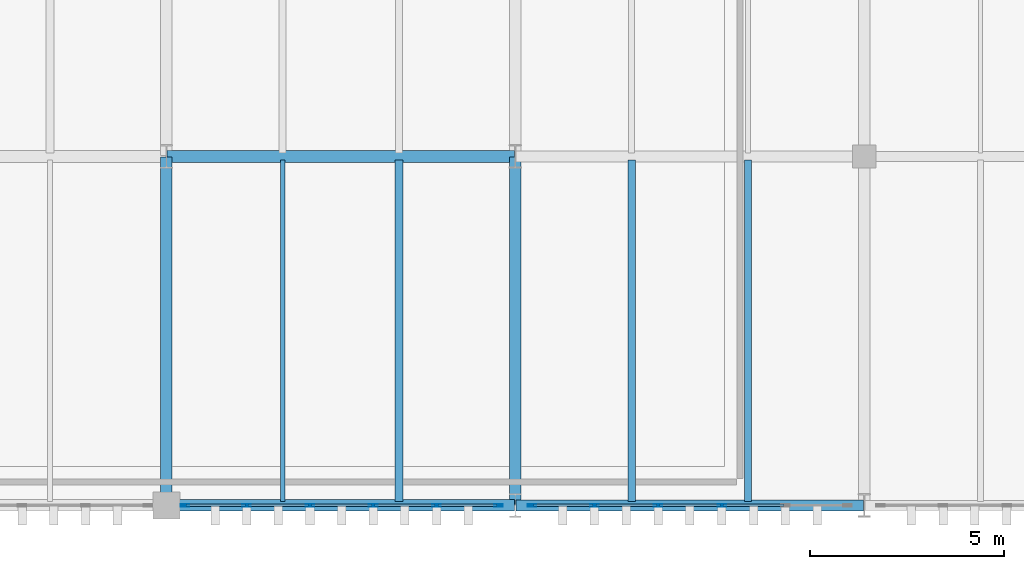
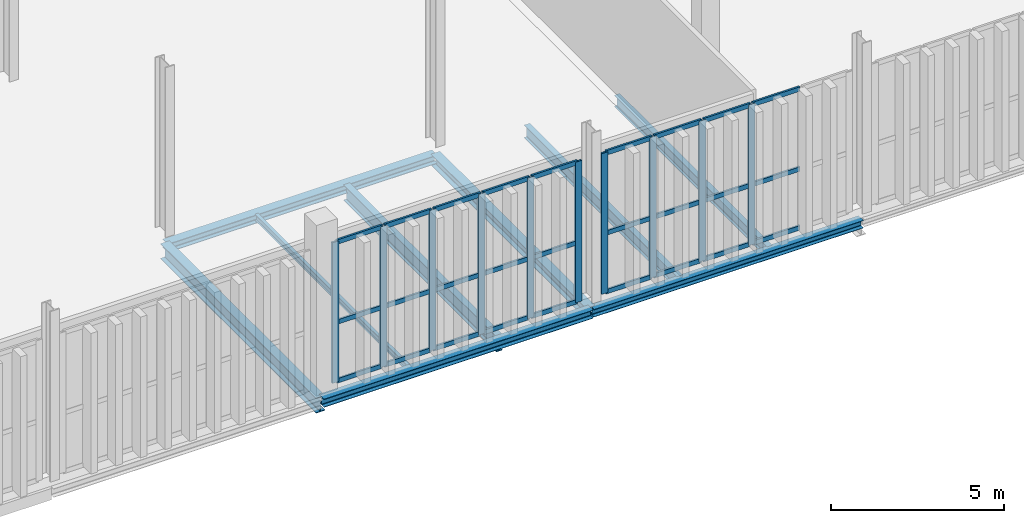
# One storey, part 87 of 211: 37 members, 9 beams, 2 elements without a shape of their own.
"""IFC4 building model written with IfcOpenShell, lengths in metres."""

from ifc_helpers import new_model, si_unit, direction, frame, origin, origin_2d, place, context, subcontext, project, spatial, hollow_rectangle, i_section, extrude, material, layer, layer_set, material_profile, profile_set, type_object, element, aggregate, save


model = new_model("IFC4")

# Units and contexts
model_context = context("Model", 3, precision=1e-05, world=origin(), true_north=direction((0.0, 1.0)))
body_context = subcontext(model_context, "Body", "Model", "MODEL_VIEW")
ifc_project = project(units=[si_unit("LENGTHUNIT", "METRE"), si_unit("AREAUNIT", "SQUARE_METRE"), si_unit("VOLUMEUNIT", "CUBIC_METRE"), si_unit("PLANEANGLEUNIT", "RADIAN"), si_unit("MASSUNIT", "GRAM", prefix="KILO")], contexts=[model_context])

# Site, building, storey
site_placement = place(None, origin())
site = spatial("IfcSite", under=ifc_project, at=site_placement, CompositionType="ELEMENT")
building_placement = place(site_placement, origin())
building = spatial("IfcBuilding", under=site, at=building_placement, Name="Barlavento Convention Centre", CompositionType="ELEMENT")
storey_placement = place(building_placement, frame((0.0, 0.0, 6.0)))
storey = spatial("IfcBuildingStorey", under=building, at=storey_placement, Name="L01", CompositionType="ELEMENT", Elevation=6.0)

# Curtain wall, members
ifc_material_1 = material(Name="Powder-coated aluminium and Low-E glass", Category="aluminium")
ifc_layer = layer(ifc_material_1, 0.18994140625)
ifc_layer_set = layer_set([ifc_layer], Name="ARC-CW-BALL-L01")
curtain_wall_type = type_object("IfcCurtainWallType", Name="ARC-CW-BALL-L01", PredefinedType="NOTDEFINED", material=ifc_layer_set)
curtain_wall_1_placement = place(storey_placement, origin())
curtain_wall_1 = element("IfcCurtainWall", 1, at=curtain_wall_1_placement, inside=storey, type_object=curtain_wall_type, Name="L01 unitised curtain wall CW06", PredefinedType="NOTDEFINED")
ifc_material_2 = material(Name="Powder-coated aluminium", Category="aluminium")
ifc_material_profile_1 = material_profile(ifc_material_2, hollow_rectangle(XDim=0.070068359375, YDim=0.219970703125, WallThickness=0.006103515625, at=origin_2d()), Name="AL-MULL 70x220x6")
ifc_profile_set_1 = profile_set([ifc_material_profile_1], Name="Powder-coated aluminium")
member_type_1 = type_object("IfcMemberType", Name="ARC-CWM-70X220", PredefinedType="MULLION", material=ifc_profile_set_1)
member_1_placement = place(storey_placement, frame((144.47509765625, 0.0, 0.0), z_axis=(0.0, 0.0, 1.0), x_axis=(0.0, 1.0, 0.0)))
member_1 = element("IfcMember", 2, at=member_1_placement, type_object=member_type_1, Name="CW06 mullion 1", PredefinedType="MULLION", context=body_context, shape_type="SweptSolid", body=[
    extrude(hollow_rectangle(XDim=0.070068359375, YDim=0.219970703125, WallThickness=0.006103515625, at=origin_2d()), origin(), (0.0, 0.0, 1.0), 4.949951171875),
])
member_2_placement = place(storey_placement, frame((146.072021484375, 0.0, 0.0), z_axis=(0.0, 0.0, 1.0), x_axis=(0.0, 1.0, 0.0)))
member_2 = element("IfcMember", 3, at=member_2_placement, type_object=member_type_1, Name="CW06 mullion 2", PredefinedType="MULLION", context=body_context, shape_type="SweptSolid", body=[
    extrude(hollow_rectangle(XDim=0.070068359375, YDim=0.219970703125, WallThickness=0.006103515625, at=origin_2d()), origin(), (0.0, 0.0, 1.0), 4.949951171875),
])
member_3_placement = place(storey_placement, frame((147.7041015625, 0.0, 0.0), z_axis=(0.0, 0.0, 1.0), x_axis=(0.0, 1.0, 0.0)))
member_3 = element("IfcMember", 4, at=member_3_placement, type_object=member_type_1, Name="CW06 mullion 3", PredefinedType="MULLION", context=body_context, shape_type="SweptSolid", body=[
    extrude(hollow_rectangle(XDim=0.070068359375, YDim=0.219970703125, WallThickness=0.006103515625, at=origin_2d()), origin(), (0.0, 0.0, 1.0), 4.949951171875),
])
member_4_placement = place(storey_placement, frame((149.3359375, 0.0, 0.0), z_axis=(0.0, 0.0, 1.0), x_axis=(0.0, 1.0, 0.0)))
member_4 = element("IfcMember", 5, at=member_4_placement, type_object=member_type_1, Name="CW06 mullion 4", PredefinedType="MULLION", context=body_context, shape_type="SweptSolid", body=[
    extrude(hollow_rectangle(XDim=0.070068359375, YDim=0.219970703125, WallThickness=0.006103515625, at=origin_2d()), origin(), (0.0, 0.0, 1.0), 4.949951171875),
])
member_5_placement = place(storey_placement, frame((150.968017578125, 0.0, 0.0), z_axis=(0.0, 0.0, 1.0), x_axis=(0.0, 1.0, 0.0)))
member_5 = element("IfcMember", 6, at=member_5_placement, type_object=member_type_1, Name="CW06 mullion 5", PredefinedType="MULLION", context=body_context, shape_type="SweptSolid", body=[
    extrude(hollow_rectangle(XDim=0.070068359375, YDim=0.219970703125, WallThickness=0.006103515625, at=origin_2d()), origin(), (0.0, 0.0, 1.0), 4.949951171875),
])
member_6_placement = place(storey_placement, frame((152.56494140625, 0.0, 0.0), z_axis=(0.0, 0.0, 1.0), x_axis=(0.0, 1.0, 0.0)))
member_6 = element("IfcMember", 7, at=member_6_placement, type_object=member_type_1, Name="CW06 mullion 6", PredefinedType="MULLION", context=body_context, shape_type="SweptSolid", body=[
    extrude(hollow_rectangle(XDim=0.070068359375, YDim=0.219970703125, WallThickness=0.006103515625, at=origin_2d()), origin(), (0.0, 0.0, 1.0), 4.949951171875),
])

curtain_wall_2_placement = place(storey_placement, origin())
curtain_wall_2 = element("IfcCurtainWall", 8, at=curtain_wall_2_placement, inside=storey, type_object=curtain_wall_type, Name="L01 unitised curtain wall CW06", PredefinedType="NOTDEFINED")
member_7_placement = place(storey_placement, frame((153.43505859375, 0.0, 0.0), z_axis=(0.0, 0.0, 1.0), x_axis=(0.0, 1.0, 0.0)))
member_7 = element("IfcMember", 9, at=member_7_placement, type_object=member_type_1, Name="CW06 mullion 1", PredefinedType="MULLION", context=body_context, shape_type="SweptSolid", body=[
    extrude(hollow_rectangle(XDim=0.070068359375, YDim=0.219970703125, WallThickness=0.006103515625, at=origin_2d()), origin(), (0.0, 0.0, 1.0), 4.949951171875),
])
member_8_placement = place(storey_placement, frame((155.0419921875, 0.0, 0.0), z_axis=(0.0, 0.0, 1.0), x_axis=(0.0, 1.0, 0.0)))
member_8 = element("IfcMember", 10, at=member_8_placement, type_object=member_type_1, Name="CW06 mullion 2", PredefinedType="MULLION", context=body_context, shape_type="SweptSolid", body=[
    extrude(hollow_rectangle(XDim=0.070068359375, YDim=0.219970703125, WallThickness=0.006103515625, at=origin_2d()), origin(), (0.0, 0.0, 1.0), 4.949951171875),
])
member_9_placement = place(storey_placement, frame((156.68408203125, 0.0, 0.0), z_axis=(0.0, 0.0, 1.0), x_axis=(0.0, 1.0, 0.0)))
member_9 = element("IfcMember", 11, at=member_9_placement, type_object=member_type_1, Name="CW06 mullion 3", PredefinedType="MULLION", context=body_context, shape_type="SweptSolid", body=[
    extrude(hollow_rectangle(XDim=0.070068359375, YDim=0.219970703125, WallThickness=0.006103515625, at=origin_2d()), origin(), (0.0, 0.0, 1.0), 4.949951171875),
])
member_10_placement = place(storey_placement, frame((158.325927734375, 0.0, 0.0), z_axis=(0.0, 0.0, 1.0), x_axis=(0.0, 1.0, 0.0)))
member_10 = element("IfcMember", 12, at=member_10_placement, type_object=member_type_1, Name="CW06 mullion 4", PredefinedType="MULLION", context=body_context, shape_type="SweptSolid", body=[
    extrude(hollow_rectangle(XDim=0.070068359375, YDim=0.219970703125, WallThickness=0.006103515625, at=origin_2d()), origin(), (0.0, 0.0, 1.0), 4.949951171875),
])

# Member
ifc_material_profile_2 = material_profile(ifc_material_2, hollow_rectangle(XDim=0.06494140625, YDim=0.159912109375, WallThickness=0.0048828125, at=origin_2d()), Name="AL-TRAN 65x160x5")
ifc_profile_set_2 = profile_set([ifc_material_profile_2], Name="Powder-coated aluminium")
member_type_2 = type_object("IfcMemberType", Name="ARC-CWT-65X160", PredefinedType="USERDEFINED", material=ifc_profile_set_2)
member_11_placement = place(storey_placement, frame((144.510009765625, 0.0, 0.032470703125), z_axis=(1.0, 0.0, 0.0), x_axis=(0.0, 1.0, 0.0)))
member_11 = element("IfcMember", 13, at=member_11_placement, type_object=member_type_2, Name="CW06 transom 1.1", ObjectType="TRANSOM", PredefinedType="USERDEFINED", context=body_context, shape_type="SweptSolid", body=[
    extrude(hollow_rectangle(XDim=0.06494140625, YDim=0.159912109375, WallThickness=0.0048828125, at=origin_2d()), origin(), (0.0, 0.0, 1.0), 1.527099609375),
])

member_12_placement = place(storey_placement, frame((144.510009765625, 0.0, 2.10009765625), z_axis=(1.0, 0.0, 0.0), x_axis=(0.0, 1.0, 0.0)))
member_12 = element("IfcMember", 14, at=member_12_placement, type_object=member_type_2, Name="CW06 transom 1.2", ObjectType="TRANSOM", PredefinedType="USERDEFINED", context=body_context, shape_type="SweptSolid", body=[
    extrude(hollow_rectangle(XDim=0.06494140625, YDim=0.159912109375, WallThickness=0.0048828125, at=origin_2d()), origin(), (0.0, 0.0, 1.0), 1.527099609375),
])

member_13_placement = place(storey_placement, frame((144.510009765625, 0.0, 4.91748046875), z_axis=(1.0, 0.0, 0.0), x_axis=(0.0, 1.0, 0.0)))
member_13 = element("IfcMember", 15, at=member_13_placement, type_object=member_type_2, Name="CW06 transom 1.3", ObjectType="TRANSOM", PredefinedType="USERDEFINED", context=body_context, shape_type="SweptSolid", body=[
    extrude(hollow_rectangle(XDim=0.06494140625, YDim=0.159912109375, WallThickness=0.0048828125, at=origin_2d()), origin(), (0.0, 0.0, 1.0), 1.527099609375),
])

member_14_placement = place(storey_placement, frame((146.10693359375, 0.0, 0.032470703125), z_axis=(1.0, 0.0, 0.0), x_axis=(0.0, 1.0, 0.0)))
member_14 = element("IfcMember", 16, at=member_14_placement, type_object=member_type_2, Name="CW06 transom 2.1", ObjectType="TRANSOM", PredefinedType="USERDEFINED", context=body_context, shape_type="SweptSolid", body=[
    extrude(hollow_rectangle(XDim=0.06494140625, YDim=0.159912109375, WallThickness=0.0048828125, at=origin_2d()), origin(), (0.0, 0.0, 1.0), 1.56201171875),
])

member_15_placement = place(storey_placement, frame((146.10693359375, 0.0, 2.10009765625), z_axis=(1.0, 0.0, 0.0), x_axis=(0.0, 1.0, 0.0)))
member_15 = element("IfcMember", 17, at=member_15_placement, type_object=member_type_2, Name="CW06 transom 2.2", ObjectType="TRANSOM", PredefinedType="USERDEFINED", context=body_context, shape_type="SweptSolid", body=[
    extrude(hollow_rectangle(XDim=0.06494140625, YDim=0.159912109375, WallThickness=0.0048828125, at=origin_2d()), origin(), (0.0, 0.0, 1.0), 1.56201171875),
])

member_16_placement = place(storey_placement, frame((146.10693359375, 0.0, 4.91748046875), z_axis=(1.0, 0.0, 0.0), x_axis=(0.0, 1.0, 0.0)))
member_16 = element("IfcMember", 18, at=member_16_placement, type_object=member_type_2, Name="CW06 transom 2.3", ObjectType="TRANSOM", PredefinedType="USERDEFINED", context=body_context, shape_type="SweptSolid", body=[
    extrude(hollow_rectangle(XDim=0.06494140625, YDim=0.159912109375, WallThickness=0.0048828125, at=origin_2d()), origin(), (0.0, 0.0, 1.0), 1.56201171875),
])

member_17_placement = place(storey_placement, frame((147.739013671875, 0.0, 0.032470703125), z_axis=(1.0, 0.0, 0.0), x_axis=(0.0, 1.0, 0.0)))
member_17 = element("IfcMember", 19, at=member_17_placement, type_object=member_type_2, Name="CW06 transom 3.1", ObjectType="TRANSOM", PredefinedType="USERDEFINED", context=body_context, shape_type="SweptSolid", body=[
    extrude(hollow_rectangle(XDim=0.06494140625, YDim=0.159912109375, WallThickness=0.0048828125, at=origin_2d()), origin(), (0.0, 0.0, 1.0), 1.56201171875),
])

member_18_placement = place(storey_placement, frame((147.739013671875, 0.0, 2.10009765625), z_axis=(1.0, 0.0, 0.0), x_axis=(0.0, 1.0, 0.0)))
member_18 = element("IfcMember", 20, at=member_18_placement, type_object=member_type_2, Name="CW06 transom 3.2", ObjectType="TRANSOM", PredefinedType="USERDEFINED", context=body_context, shape_type="SweptSolid", body=[
    extrude(hollow_rectangle(XDim=0.06494140625, YDim=0.159912109375, WallThickness=0.0048828125, at=origin_2d()), origin(), (0.0, 0.0, 1.0), 1.56201171875),
])

member_19_placement = place(storey_placement, frame((147.739013671875, 0.0, 4.91748046875), z_axis=(1.0, 0.0, 0.0), x_axis=(0.0, 1.0, 0.0)))
member_19 = element("IfcMember", 21, at=member_19_placement, type_object=member_type_2, Name="CW06 transom 3.3", ObjectType="TRANSOM", PredefinedType="USERDEFINED", context=body_context, shape_type="SweptSolid", body=[
    extrude(hollow_rectangle(XDim=0.06494140625, YDim=0.159912109375, WallThickness=0.0048828125, at=origin_2d()), origin(), (0.0, 0.0, 1.0), 1.56201171875),
])

member_20_placement = place(storey_placement, frame((149.37109375, 0.0, 0.032470703125), z_axis=(1.0, 0.0, 0.0), x_axis=(0.0, 1.0, 0.0)))
member_20 = element("IfcMember", 22, at=member_20_placement, type_object=member_type_2, Name="CW06 transom 4.1", ObjectType="TRANSOM", PredefinedType="USERDEFINED", context=body_context, shape_type="SweptSolid", body=[
    extrude(hollow_rectangle(XDim=0.06494140625, YDim=0.159912109375, WallThickness=0.0048828125, at=origin_2d()), origin(), (0.0, 0.0, 1.0), 1.56201171875),
])

member_21_placement = place(storey_placement, frame((149.37109375, 0.0, 2.10009765625), z_axis=(1.0, 0.0, 0.0), x_axis=(0.0, 1.0, 0.0)))
member_21 = element("IfcMember", 23, at=member_21_placement, type_object=member_type_2, Name="CW06 transom 4.2", ObjectType="TRANSOM", PredefinedType="USERDEFINED", context=body_context, shape_type="SweptSolid", body=[
    extrude(hollow_rectangle(XDim=0.06494140625, YDim=0.159912109375, WallThickness=0.0048828125, at=origin_2d()), origin(), (0.0, 0.0, 1.0), 1.56201171875),
])

member_22_placement = place(storey_placement, frame((149.37109375, 0.0, 4.91748046875), z_axis=(1.0, 0.0, 0.0), x_axis=(0.0, 1.0, 0.0)))
member_22 = element("IfcMember", 24, at=member_22_placement, type_object=member_type_2, Name="CW06 transom 4.3", ObjectType="TRANSOM", PredefinedType="USERDEFINED", context=body_context, shape_type="SweptSolid", body=[
    extrude(hollow_rectangle(XDim=0.06494140625, YDim=0.159912109375, WallThickness=0.0048828125, at=origin_2d()), origin(), (0.0, 0.0, 1.0), 1.56201171875),
])

member_23_placement = place(storey_placement, frame((151.0029296875, 0.0, 0.032470703125), z_axis=(1.0, 0.0, 0.0), x_axis=(0.0, 1.0, 0.0)))
member_23 = element("IfcMember", 25, at=member_23_placement, type_object=member_type_2, Name="CW06 transom 5.1", ObjectType="TRANSOM", PredefinedType="USERDEFINED", context=body_context, shape_type="SweptSolid", body=[
    extrude(hollow_rectangle(XDim=0.06494140625, YDim=0.159912109375, WallThickness=0.0048828125, at=origin_2d()), origin(), (0.0, 0.0, 1.0), 1.527099609375),
])

member_24_placement = place(storey_placement, frame((151.0029296875, 0.0, 2.10009765625), z_axis=(1.0, 0.0, 0.0), x_axis=(0.0, 1.0, 0.0)))
member_24 = element("IfcMember", 26, at=member_24_placement, type_object=member_type_2, Name="CW06 transom 5.2", ObjectType="TRANSOM", PredefinedType="USERDEFINED", context=body_context, shape_type="SweptSolid", body=[
    extrude(hollow_rectangle(XDim=0.06494140625, YDim=0.159912109375, WallThickness=0.0048828125, at=origin_2d()), origin(), (0.0, 0.0, 1.0), 1.527099609375),
])

member_25_placement = place(storey_placement, frame((151.0029296875, 0.0, 4.91748046875), z_axis=(1.0, 0.0, 0.0), x_axis=(0.0, 1.0, 0.0)))
member_25 = element("IfcMember", 27, at=member_25_placement, type_object=member_type_2, Name="CW06 transom 5.3", ObjectType="TRANSOM", PredefinedType="USERDEFINED", context=body_context, shape_type="SweptSolid", body=[
    extrude(hollow_rectangle(XDim=0.06494140625, YDim=0.159912109375, WallThickness=0.0048828125, at=origin_2d()), origin(), (0.0, 0.0, 1.0), 1.527099609375),
])

aggregate(curtain_wall_1, [member_1, member_2, member_3, member_4, member_5, member_6, member_11, member_12, member_13, member_14, member_15, member_16, member_17, member_18, member_19, member_20, member_21, member_22, member_23, member_24, member_25])

member_26_placement = place(storey_placement, frame((153.469970703125, 0.0, 0.032470703125), z_axis=(1.0, 0.0, 0.0), x_axis=(0.0, 1.0, 0.0)))
member_26 = element("IfcMember", 28, at=member_26_placement, type_object=member_type_2, Name="CW06 transom 1.1", ObjectType="TRANSOM", PredefinedType="USERDEFINED", context=body_context, shape_type="SweptSolid", body=[
    extrude(hollow_rectangle(XDim=0.06494140625, YDim=0.159912109375, WallThickness=0.0048828125, at=origin_2d()), origin(), (0.0, 0.0, 1.0), 1.537109375),
])

member_27_placement = place(storey_placement, frame((153.469970703125, 0.0, 2.10009765625), z_axis=(1.0, 0.0, 0.0), x_axis=(0.0, 1.0, 0.0)))
member_27 = element("IfcMember", 29, at=member_27_placement, type_object=member_type_2, Name="CW06 transom 1.2", ObjectType="TRANSOM", PredefinedType="USERDEFINED", context=body_context, shape_type="SweptSolid", body=[
    extrude(hollow_rectangle(XDim=0.06494140625, YDim=0.159912109375, WallThickness=0.0048828125, at=origin_2d()), origin(), (0.0, 0.0, 1.0), 1.537109375),
])

member_28_placement = place(storey_placement, frame((153.469970703125, 0.0, 4.91748046875), z_axis=(1.0, 0.0, 0.0), x_axis=(0.0, 1.0, 0.0)))
member_28 = element("IfcMember", 30, at=member_28_placement, type_object=member_type_2, Name="CW06 transom 1.3", ObjectType="TRANSOM", PredefinedType="USERDEFINED", context=body_context, shape_type="SweptSolid", body=[
    extrude(hollow_rectangle(XDim=0.06494140625, YDim=0.159912109375, WallThickness=0.0048828125, at=origin_2d()), origin(), (0.0, 0.0, 1.0), 1.537109375),
])

member_29_placement = place(storey_placement, frame((155.076904296875, 0.0, 0.032470703125), z_axis=(1.0, 0.0, 0.0), x_axis=(0.0, 1.0, 0.0)))
member_29 = element("IfcMember", 31, at=member_29_placement, type_object=member_type_2, Name="CW06 transom 2.1", ObjectType="TRANSOM", PredefinedType="USERDEFINED", context=body_context, shape_type="SweptSolid", body=[
    extrude(hollow_rectangle(XDim=0.06494140625, YDim=0.159912109375, WallThickness=0.0048828125, at=origin_2d()), origin(), (0.0, 0.0, 1.0), 1.572021484375),
])

member_30_placement = place(storey_placement, frame((155.076904296875, 0.0, 2.10009765625), z_axis=(1.0, 0.0, 0.0), x_axis=(0.0, 1.0, 0.0)))
member_30 = element("IfcMember", 32, at=member_30_placement, type_object=member_type_2, Name="CW06 transom 2.2", ObjectType="TRANSOM", PredefinedType="USERDEFINED", context=body_context, shape_type="SweptSolid", body=[
    extrude(hollow_rectangle(XDim=0.06494140625, YDim=0.159912109375, WallThickness=0.0048828125, at=origin_2d()), origin(), (0.0, 0.0, 1.0), 1.572021484375),
])

member_31_placement = place(storey_placement, frame((155.076904296875, 0.0, 4.91748046875), z_axis=(1.0, 0.0, 0.0), x_axis=(0.0, 1.0, 0.0)))
member_31 = element("IfcMember", 33, at=member_31_placement, type_object=member_type_2, Name="CW06 transom 2.3", ObjectType="TRANSOM", PredefinedType="USERDEFINED", context=body_context, shape_type="SweptSolid", body=[
    extrude(hollow_rectangle(XDim=0.06494140625, YDim=0.159912109375, WallThickness=0.0048828125, at=origin_2d()), origin(), (0.0, 0.0, 1.0), 1.572021484375),
])

member_32_placement = place(storey_placement, frame((156.718994140625, 0.0, 0.032470703125), z_axis=(1.0, 0.0, 0.0), x_axis=(0.0, 1.0, 0.0)))
member_32 = element("IfcMember", 34, at=member_32_placement, type_object=member_type_2, Name="CW06 transom 3.1", ObjectType="TRANSOM", PredefinedType="USERDEFINED", context=body_context, shape_type="SweptSolid", body=[
    extrude(hollow_rectangle(XDim=0.06494140625, YDim=0.159912109375, WallThickness=0.0048828125, at=origin_2d()), origin(), (0.0, 0.0, 1.0), 1.572021484375),
])

member_33_placement = place(storey_placement, frame((156.718994140625, 0.0, 2.10009765625), z_axis=(1.0, 0.0, 0.0), x_axis=(0.0, 1.0, 0.0)))
member_33 = element("IfcMember", 35, at=member_33_placement, type_object=member_type_2, Name="CW06 transom 3.2", ObjectType="TRANSOM", PredefinedType="USERDEFINED", context=body_context, shape_type="SweptSolid", body=[
    extrude(hollow_rectangle(XDim=0.06494140625, YDim=0.159912109375, WallThickness=0.0048828125, at=origin_2d()), origin(), (0.0, 0.0, 1.0), 1.572021484375),
])

member_34_placement = place(storey_placement, frame((156.718994140625, 0.0, 4.91748046875), z_axis=(1.0, 0.0, 0.0), x_axis=(0.0, 1.0, 0.0)))
member_34 = element("IfcMember", 36, at=member_34_placement, type_object=member_type_2, Name="CW06 transom 3.3", ObjectType="TRANSOM", PredefinedType="USERDEFINED", context=body_context, shape_type="SweptSolid", body=[
    extrude(hollow_rectangle(XDim=0.06494140625, YDim=0.159912109375, WallThickness=0.0048828125, at=origin_2d()), origin(), (0.0, 0.0, 1.0), 1.572021484375),
])

member_35_placement = place(storey_placement, frame((158.361083984375, 0.0, 0.032470703125), z_axis=(1.0, 0.0, 0.0), x_axis=(0.0, 1.0, 0.0)))
member_35 = element("IfcMember", 37, at=member_35_placement, type_object=member_type_2, Name="CW06 transom 4.1", ObjectType="TRANSOM", PredefinedType="USERDEFINED", context=body_context, shape_type="SweptSolid", body=[
    extrude(hollow_rectangle(XDim=0.06494140625, YDim=0.159912109375, WallThickness=0.0048828125, at=origin_2d()), origin(), (0.0, 0.0, 1.0), 1.572021484375),
])

member_36_placement = place(storey_placement, frame((158.361083984375, 0.0, 2.10009765625), z_axis=(1.0, 0.0, 0.0), x_axis=(0.0, 1.0, 0.0)))
member_36 = element("IfcMember", 38, at=member_36_placement, type_object=member_type_2, Name="CW06 transom 4.2", ObjectType="TRANSOM", PredefinedType="USERDEFINED", context=body_context, shape_type="SweptSolid", body=[
    extrude(hollow_rectangle(XDim=0.06494140625, YDim=0.159912109375, WallThickness=0.0048828125, at=origin_2d()), origin(), (0.0, 0.0, 1.0), 1.572021484375),
])

member_37_placement = place(storey_placement, frame((158.361083984375, 0.0, 4.91748046875), z_axis=(1.0, 0.0, 0.0), x_axis=(0.0, 1.0, 0.0)))
member_37 = element("IfcMember", 39, at=member_37_placement, type_object=member_type_2, Name="CW06 transom 4.3", ObjectType="TRANSOM", PredefinedType="USERDEFINED", context=body_context, shape_type="SweptSolid", body=[
    extrude(hollow_rectangle(XDim=0.06494140625, YDim=0.159912109375, WallThickness=0.0048828125, at=origin_2d()), origin(), (0.0, 0.0, 1.0), 1.572021484375),
])

aggregate(curtain_wall_2, [member_7, member_8, member_9, member_10, member_26, member_27, member_28, member_29, member_30, member_31, member_32, member_33, member_34, member_35, member_36, member_37])

# Beams
ifc_material_3 = material(Name="Steel S355", Category="steel")
ifc_material_profile_3 = material_profile(ifc_material_3, i_section(OverallWidth=0.110107421875, OverallDepth=0.219970703125, WebThickness=0.005859375, FlangeThickness=0.00927734375, FilletRadius=0.011962890625, at=origin_2d()), Name="IPE 220")
ifc_profile_set_3 = profile_set([ifc_material_profile_3], Name="Steel S355")
beam_type_1 = type_object("IfcBeamType", Name="STR-BM-JST-IPE220", PredefinedType="JOIST", material=ifc_profile_set_3)
beam_1_placement = place(storey_placement, frame((147.0, 0.094970703125, -0.469970703125), z_axis=(0.0, 1.0, 0.0), x_axis=(-1.0, 0.0, 0.0)))
element("IfcBeam", 40, at=beam_1_placement, inside=storey, type_object=beam_type_1, Name="L01 composite floor joist SJ10", PredefinedType="JOIST", context=body_context, shape_type="SweptSolid", body=[
    extrude(i_section(OverallWidth=0.110107421875, OverallDepth=0.219970703125, WebThickness=0.005859375, FlangeThickness=0.00927734375, FilletRadius=0.011962890625, at=origin_2d()), origin(), (0.0, 0.0, 1.0), 8.81005859375),
])
ifc_material_profile_4 = material_profile(ifc_material_3, i_section(OverallWidth=0.179931640625, OverallDepth=0.39990234375, WebThickness=0.008544921875, FlangeThickness=0.013427734375, FilletRadius=0.02099609375, at=origin_2d()), Name="IPE 400")
ifc_profile_set_4 = profile_set([ifc_material_profile_4], Name="Steel S355")
beam_type_2 = type_object("IfcBeamType", Name="STR-BM-JST-IPE400", PredefinedType="JOIST", material=ifc_profile_set_4)
beam_2_placement = place(storey_placement, frame((159.0, 0.094970703125, -0.56005859375), z_axis=(0.0, 1.0, 0.0), x_axis=(-1.0, 0.0, 0.0)))
element("IfcBeam", 41, at=beam_2_placement, inside=storey, type_object=beam_type_2, Name="L01 composite floor joist SJ04", PredefinedType="JOIST", context=body_context, shape_type="SweptSolid", body=[
    extrude(i_section(OverallWidth=0.179931640625, OverallDepth=0.39990234375, WebThickness=0.008544921875, FlangeThickness=0.013427734375, FilletRadius=0.02099609375, at=origin_2d()), origin(), (0.0, 0.0, 1.0), 8.81005859375),
])
ifc_material_profile_5 = material_profile(ifc_material_3, i_section(OverallWidth=0.18994140625, OverallDepth=0.449951171875, WebThickness=0.009521484375, FlangeThickness=0.0146484375, FilletRadius=0.02099609375, at=origin_2d()), Name="IPE 450")
ifc_profile_set_5 = profile_set([ifc_material_profile_5], Name="Steel S355")
beam_type_3 = type_object("IfcBeamType", Name="STR-BM-JST-IPE450", PredefinedType="JOIST", material=ifc_profile_set_5)
beam_3_placement = place(storey_placement, frame((156.0, 0.094970703125, -0.5849609375), z_axis=(0.0, 1.0, 0.0), x_axis=(-1.0, 0.0, 0.0)))
element("IfcBeam", 42, at=beam_3_placement, inside=storey, type_object=beam_type_3, Name="L01 composite floor joist SJ03", PredefinedType="JOIST", context=body_context, shape_type="SweptSolid", body=[
    extrude(i_section(OverallWidth=0.18994140625, OverallDepth=0.449951171875, WebThickness=0.009521484375, FlangeThickness=0.0146484375, FilletRadius=0.02099609375, at=origin_2d()), origin(), (0.0, 0.0, 1.0), 8.81005859375),
])
ifc_material_profile_6 = material_profile(ifc_material_3, i_section(OverallWidth=0.2099609375, OverallDepth=0.550048828125, WebThickness=0.010986328125, FlangeThickness=0.01708984375, FilletRadius=0.02392578125, at=origin_2d()), Name="IPE 550")
ifc_profile_set_6 = profile_set([ifc_material_profile_6], Name="Steel S355")
beam_type_4 = type_object("IfcBeamType", Name="STR-BM-JST-IPE550", PredefinedType="JOIST", material=ifc_profile_set_6)
beam_4_placement = place(storey_placement, frame((150.0, 0.094970703125, -0.635009765625), z_axis=(0.0, 1.0, 0.0), x_axis=(-1.0, 0.0, 0.0)))
element("IfcBeam", 43, at=beam_4_placement, inside=storey, type_object=beam_type_4, Name="L01 composite floor joist SJ01", PredefinedType="JOIST", context=body_context, shape_type="SweptSolid", body=[
    extrude(i_section(OverallWidth=0.2099609375, OverallDepth=0.550048828125, WebThickness=0.010986328125, FlangeThickness=0.01708984375, FilletRadius=0.02392578125, at=origin_2d()), origin(), (0.0, 0.0, 1.0), 8.81005859375),
])
ifc_material_profile_7 = material_profile(ifc_material_3, i_section(OverallWidth=0.300048828125, OverallDepth=0.389892578125, WebThickness=0.010986328125, FlangeThickness=0.01904296875, FilletRadius=0.027099609375, at=origin_2d()), Name="HEA 400")
ifc_profile_set_7 = profile_set([ifc_material_profile_7], Name="Steel S355")
beam_type_5 = type_object("IfcBeamType", Name="STR-BM-PRI-HEA400", PredefinedType="BEAM", material=ifc_profile_set_7)
beam_5_placement = place(storey_placement, frame((153.0, 0.02001953125, -0.554931640625), z_axis=(0.0, 1.0, 0.0), x_axis=(-1.0, 0.0, 0.0)))
element("IfcBeam", 44, at=beam_5_placement, inside=storey, type_object=beam_type_5, Name="L01 grid girder BG22", PredefinedType="BEAM", context=body_context, shape_type="SweptSolid", body=[
    extrude(i_section(OverallWidth=0.300048828125, OverallDepth=0.389892578125, WebThickness=0.010986328125, FlangeThickness=0.01904296875, FilletRadius=0.027099609375, at=origin_2d()), origin(), (0.0, 0.0, 1.0), 8.9599609375),
])
ifc_material_profile_8 = material_profile(ifc_material_3, i_section(OverallWidth=0.300048828125, OverallDepth=0.5400390625, WebThickness=0.012451171875, FlangeThickness=0.02392578125, FilletRadius=0.027099609375, at=origin_2d()), Name="HEA 550")
ifc_profile_set_8 = profile_set([ifc_material_profile_8], Name="Steel S355")
beam_type_6 = type_object("IfcBeamType", Name="STR-BM-PRI-HEA550", PredefinedType="BEAM", material=ifc_profile_set_8)
beam_6_placement = place(storey_placement, frame((144.0, 0.02001953125, -0.6298828125), z_axis=(0.0, 1.0, 0.0), x_axis=(-1.0, 0.0, 0.0)))
element("IfcBeam", 45, at=beam_6_placement, inside=storey, type_object=beam_type_6, Name="L01 grid girder BG19", PredefinedType="BEAM", context=body_context, shape_type="SweptSolid", body=[
    extrude(i_section(OverallWidth=0.300048828125, OverallDepth=0.5400390625, WebThickness=0.012451171875, FlangeThickness=0.02392578125, FilletRadius=0.027099609375, at=origin_2d()), origin(), (0.0, 0.0, 1.0), 8.9599609375),
])
ifc_material_profile_9 = material_profile(ifc_material_3, i_section(OverallWidth=0.300048828125, OverallDepth=0.300048828125, WebThickness=0.010986328125, FlangeThickness=0.01904296875, FilletRadius=0.027099609375, at=origin_2d()), Name="HEB 300")
ifc_profile_set_9 = profile_set([ifc_material_profile_9], Name="Steel S355")
beam_type_7 = type_object("IfcBeamType", Name="STR-BM-PRI-HEB300", PredefinedType="BEAM", material=ifc_profile_set_9)
beam_7_placement = place(storey_placement, frame((144.02001953125, 9.0, -0.510009765625), z_axis=(1.0, 0.0, 0.0), x_axis=(0.0, 1.0, 0.0)))
element("IfcBeam", 46, at=beam_7_placement, inside=storey, type_object=beam_type_7, Name="L01 primary girder BG14", PredefinedType="BEAM", context=body_context, shape_type="SweptSolid", body=[
    extrude(i_section(OverallWidth=0.300048828125, OverallDepth=0.300048828125, WebThickness=0.010986328125, FlangeThickness=0.01904296875, FilletRadius=0.027099609375, at=origin_2d()), origin(), (0.0, 0.0, 1.0), 8.9599609375),
])
ifc_material_profile_10 = material_profile(ifc_material_3, i_section(OverallWidth=0.280029296875, OverallDepth=0.27001953125, WebThickness=0.008056640625, FlangeThickness=0.012939453125, FilletRadius=0.02392578125, at=origin_2d()), Name="HEA 280")
ifc_profile_set_10 = profile_set([ifc_material_profile_10], Name="Steel S355")
beam_type_8 = type_object("IfcBeamType", Name="STR-BM-SPN-HEA280", PredefinedType="SPANDREL", material=ifc_profile_set_10)
beam_8_placement = place(storey_placement, frame((153.02001953125, 0.0, -0.4951171875), z_axis=(1.0, 0.0, 0.0), x_axis=(0.0, 1.0, 0.0)))
element("IfcBeam", 47, at=beam_8_placement, inside=storey, type_object=beam_type_8, Name="L01 primary girder SP03", PredefinedType="SPANDREL", context=body_context, shape_type="SweptSolid", body=[
    extrude(i_section(OverallWidth=0.280029296875, OverallDepth=0.27001953125, WebThickness=0.008056640625, FlangeThickness=0.012939453125, FilletRadius=0.02392578125, at=origin_2d()), origin(), (0.0, 0.0, 1.0), 8.9599609375),
])
ifc_material_profile_11 = material_profile(ifc_material_3, i_section(OverallWidth=0.300048828125, OverallDepth=0.2900390625, WebThickness=0.008544921875, FlangeThickness=0.013916015625, FilletRadius=0.027099609375, at=origin_2d()), Name="HEA 300")
ifc_profile_set_11 = profile_set([ifc_material_profile_11], Name="Steel S355")
beam_type_9 = type_object("IfcBeamType", Name="STR-BM-SPN-HEA300", PredefinedType="SPANDREL", material=ifc_profile_set_11)
beam_9_placement = place(storey_placement, frame((144.02001953125, 0.0, -0.5048828125), z_axis=(1.0, 0.0, 0.0), x_axis=(0.0, 1.0, 0.0)))
element("IfcBeam", 48, at=beam_9_placement, inside=storey, type_object=beam_type_9, Name="L01 primary girder SP02", PredefinedType="SPANDREL", context=body_context, shape_type="SweptSolid", body=[
    extrude(i_section(OverallWidth=0.300048828125, OverallDepth=0.2900390625, WebThickness=0.008544921875, FlangeThickness=0.013916015625, FilletRadius=0.027099609375, at=origin_2d()), origin(), (0.0, 0.0, 1.0), 8.9599609375),
])

save(model, "model.ifc")
